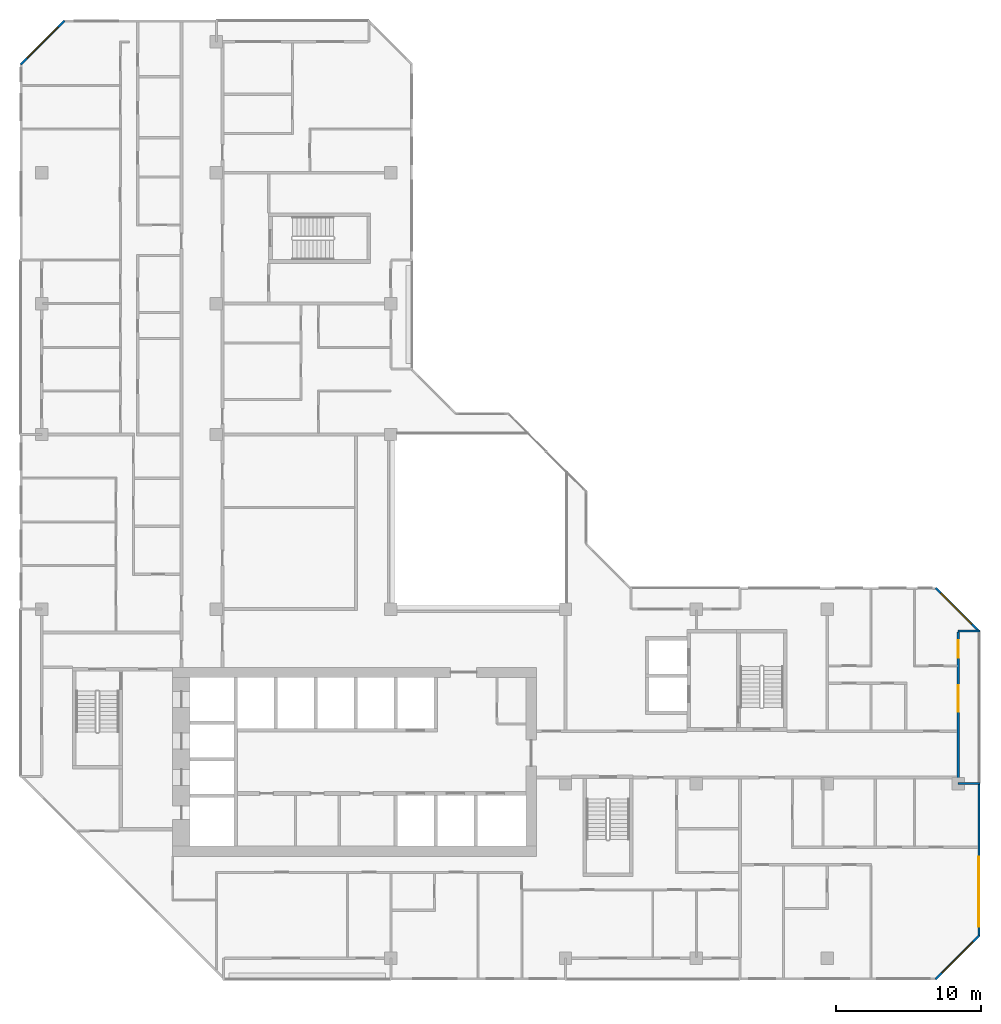
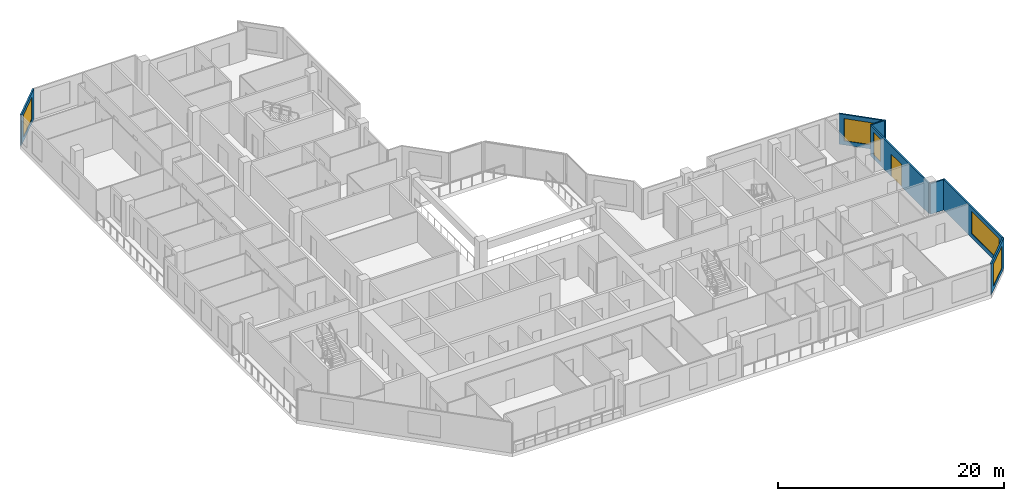
# One storey, part 12 of 15: 7 walls, 5 windows, 1 door, 6 openings.
"""IFC4 building model written with IfcOpenShell, lengths in metres."""

from ifc_helpers import new_model, si_unit, direction, frame, frame_2d, origin, place, context, subcontext, project, spatial, rectangle, extrude, material, layer, layer_set, type_object, element, fill, save


model = new_model("IFC4")

# Units and contexts
model_context = context("Model", 3, precision=1e-05, world=origin(), true_north=direction((0.0, 1.0)))
body_context = subcontext(model_context, "Body", "Model", "MODEL_VIEW")
ifc_project = project(units=[si_unit("LENGTHUNIT", "METRE"), si_unit("AREAUNIT", "SQUARE_METRE"), si_unit("VOLUMEUNIT", "CUBIC_METRE"), si_unit("PLANEANGLEUNIT", "RADIAN"), si_unit("MASSUNIT", "GRAM", prefix="KILO")], contexts=[model_context])

# Site, building, storey
site_placement = place(None, origin())
site = spatial("IfcSite", under=ifc_project, at=site_placement, CompositionType="ELEMENT")
building_placement = place(site_placement, origin())
building = spatial("IfcBuilding", under=site, at=building_placement, Name="Chenar Terraces", CompositionType="ELEMENT")
storey_placement = place(building_placement, frame((0.0, 0.0, 252.89990234375)))
storey = spatial("IfcBuildingStorey", under=building, at=storey_placement, Name="L60", CompositionType="ELEMENT", Elevation=252.89990234375)

# Wall, opening, window
ifc_material_1 = material(Name="Aluminium framed glazing", Category="aluminium")
ifc_layer_1 = layer(ifc_material_1, 0.14990234375)
ifc_layer_set_1 = layer_set([ifc_layer_1], Name="Aluminium framed glazing")
wall_type_1 = type_object("IfcWallType", Name="Glazed flush facade wall 150", PredefinedType="SOLIDWALL", material=ifc_layer_set_1)
wall_1_placement = place(storey_placement, frame((64.425048828125, 1.5, 0.0), z_axis=(0.0, 0.0, 1.0), x_axis=(0.0, 1.0, 0.0)))
wall_1 = element("IfcWall", 1, at=wall_1_placement, inside=storey, type_object=wall_type_1, Name="Glazed flush facade wall", PredefinedType="SOLIDWALL", context=body_context, shape_type="SweptSolid", body=[
    extrude(rectangle(XDim=10.425048828125, YDim=0.14990234375, at=frame_2d((5.21240234375, 0.0))), origin(), (0.0, 0.0, 1.0), 3.300048828125),
])
opening_1_placement = place(wall_1_placement, frame((0.66259765625, 0.0, 0.449951171875)))
opening_1 = element("IfcOpeningElement", 2, at=opening_1_placement, cuts=wall_1, Name="Opening W480x240", PredefinedType="OPENING", context=body_context, shape_type="SweptSolid", body=[
    extrude(rectangle(XDim=4.800048828125, YDim=2.39990234375, at=frame_2d((2.39990234375, 1.199951171875))), frame((0.0, 0.0849609375, 0.0), z_axis=(0.0, -1.0, 0.0), x_axis=(1.0, 0.0, 0.0)), (0.0, 0.0, 1.0), 0.169921875),
])
ifc_material_2 = material(Name="Low emissivity double glazing, aluminium frame", Category="aluminium")
window_type_1 = type_object("IfcWindowType", Name="Fixed light 4800 x 2400", PartitioningType="SINGLE_PANEL", PredefinedType="WINDOW", material=ifc_material_2)
window_1_placement = place(opening_1_placement, origin())
window_1 = element("IfcWindow", 3, at=window_1_placement, inside=storey, type_object=window_type_1, Name="Window", OverallHeight=2.39990234375, OverallWidth=4.800048828125, PartitioningType="SINGLE_PANEL", PredefinedType="WINDOW", context=body_context, shape_type="SweptSolid", body=[
    extrude(rectangle(XDim=4.800048828125, YDim=2.39990234375, at=frame_2d((2.39990234375, 1.199951171875))), frame((0.0, 0.030029296875, 0.0), z_axis=(0.0, -1.0, 0.0), x_axis=(1.0, 0.0, 0.0)), (0.0, 0.0, 1.0), 0.06005859375),
])
fill(opening_1, window_1)

# Wall, openings, window, door
ifc_material_3 = material(Name="Aluminium framed glazing", Category="aluminium")
ifc_layer_2 = layer(ifc_material_3, 0.14990234375)
ifc_layer_set_2 = layer_set([ifc_layer_2], Name="Aluminium framed glazing")
wall_type_2 = type_object("IfcWallType", Name="Glazed loggia back wall 150", PredefinedType="SOLIDWALL", material=ifc_layer_set_2)
wall_2_placement = place(storey_placement, frame((63.0, 12.074951171875, 0.0), z_axis=(0.0, 0.0, 1.0), x_axis=(0.0, 1.0, 0.0)))
wall_2 = element("IfcWall", 4, at=wall_2_placement, inside=storey, type_object=wall_type_2, Name="Glazed loggia back wall", PredefinedType="SOLIDWALL", context=body_context, shape_type="SweptSolid", body=[
    extrude(rectangle(XDim=10.35009765625, YDim=0.14990234375, at=frame_2d((5.175048828125, 0.0))), origin(), (0.0, 0.0, 1.0), 3.300048828125),
])
opening_2_placement = place(wall_2_placement, frame((4.875, 0.0, 0.0)))
opening_2 = element("IfcOpeningElement", 5, at=opening_2_placement, cuts=wall_2, Name="Opening DL60-G7", PredefinedType="OPENING", context=body_context, shape_type="SweptSolid", body=[
    extrude(rectangle(XDim=1.800048828125, YDim=2.39990234375, at=frame_2d((0.89990234375, 1.199951171875))), frame((0.0, 0.0849609375, 0.0), z_axis=(0.0, -1.0, 0.0), x_axis=(1.0, 0.0, 0.0)), (0.0, 0.0, 1.0), 0.169921875),
])
opening_3_placement = place(wall_2_placement, frame((8.58740234375, 0.0, 0.449951171875)))
opening_3 = element("IfcOpeningElement", 6, at=opening_3_placement, cuts=wall_2, Name="Opening W120x240", PredefinedType="OPENING", context=body_context, shape_type="SweptSolid", body=[
    extrude(rectangle(XDim=1.199951171875, YDim=2.39990234375, at=frame_2d((0.60009765625, 1.199951171875))), frame((0.0, 0.0849609375, 0.0), z_axis=(0.0, -1.0, 0.0), x_axis=(1.0, 0.0, 0.0)), (0.0, 0.0, 1.0), 0.169921875),
])
ifc_material_4 = material(Name="Low emissivity double glazing, aluminium frame", Category="aluminium")
window_type_2 = type_object("IfcWindowType", Name="Fixed light 1200 x 2400", PartitioningType="SINGLE_PANEL", PredefinedType="WINDOW", material=ifc_material_4)
window_2_placement = place(opening_3_placement, origin())
window_2 = element("IfcWindow", 7, at=window_2_placement, inside=storey, type_object=window_type_2, Name="Window", OverallHeight=2.39990234375, OverallWidth=1.199951171875, PartitioningType="SINGLE_PANEL", PredefinedType="WINDOW", context=body_context, shape_type="SweptSolid", body=[
    extrude(rectangle(XDim=1.199951171875, YDim=2.39990234375, at=frame_2d((0.60009765625, 1.199951171875))), frame((0.0, 0.030029296875, 0.0), z_axis=(0.0, -1.0, 0.0), x_axis=(1.0, 0.0, 0.0)), (0.0, 0.0, 1.0), 0.06005859375),
])
fill(opening_3, window_2)
ifc_material_5 = material(Name="Low emissivity double glazing, aluminium frame", Category="aluminium")
door_type = type_object("IfcDoorType", Name="Loggia glazed double door 1800 x 2400", OperationType="DOUBLE_DOOR_SINGLE_SWING", PredefinedType="DOOR", material=ifc_material_5)
door_placement = place(opening_2_placement, frame((1.800048828125, 0.0, 0.0), z_axis=(0.0, 0.0, 1.0), x_axis=(-1.0, 0.0, 0.0)))
door = element("IfcDoor", 8, at=door_placement, inside=storey, type_object=door_type, Name="Loggia glazed door", OperationType="DOUBLE_DOOR_SINGLE_SWING", OverallHeight=2.39990234375, OverallWidth=1.800048828125, PredefinedType="DOOR", context=body_context, shape_type="SweptSolid", body=[
    extrude(rectangle(XDim=1.800048828125, YDim=2.39990234375, at=frame_2d((0.89990234375, 1.199951171875))), frame((0.0, 0.02490234375, 0.0), z_axis=(0.0, -1.0, 0.0), x_axis=(1.0, 0.0, 0.0)), (0.0, 0.0, 1.0), 0.050048828125),
])
fill(opening_2, door)

# Walls
ifc_material_6 = material(Name="Terracotta cladding on insulated backing", Category="masonry")
ifc_layer_3 = layer(ifc_material_6, 0.14990234375)
ifc_layer_set_3 = layer_set([ifc_layer_3], Name="Terracotta cladding on insulated backing")
wall_type_3 = type_object("IfcWallType", Name="Loggia return wall 150", PredefinedType="SOLIDWALL", material=ifc_layer_set_3)
for number, where, z_axis, x_axis, name in (
    (9, (64.5, 12.0, 0.0), (0.0, 0.0, 1.0), (-1.0, 0.0, 0.0), "Loggia return wall"),
    (10, (64.5, 22.5, 0.0), (0.0, 0.0, 1.0), (-1.0, 0.0, 0.0), "Loggia return wall"),
):
    element("IfcWall", number, at=place(storey_placement, frame(where, z_axis=z_axis, x_axis=x_axis)), inside=storey, type_object=wall_type_3, Name=name, PredefinedType="SOLIDWALL", context=body_context, shape_type="SweptSolid", body=[
        extrude(rectangle(XDim=1.5, YDim=0.14990234375, at=frame_2d((0.75, 0.0))), origin(), (0.0, 0.0, 1.0), 3.300048828125),
    ])

# Wall, opening, window
ifc_material_7 = material(Name="Terracotta cladding on insulated backing", Category="masonry")
ifc_layer_4 = layer(ifc_material_7, 0.14990234375)
ifc_layer_set_4 = layer_set([ifc_layer_4], Name="Terracotta cladding on insulated backing")
wall_type_4 = type_object("IfcWallType", Name="Terracotta rainscreen wall 150", PredefinedType="SOLIDWALL", material=ifc_layer_set_4)
wall_3_placement = place(storey_placement, frame((1.552978515625, 64.447021484375, 0.0), z_axis=(0.0, 0.0, 1.0), x_axis=(-0.707106781187, -0.707106781187, 0.0)))
wall_3 = element("IfcWall", 11, at=wall_3_placement, inside=storey, type_object=wall_type_4, Name="Terracotta rainscreen wall", PredefinedType="SOLIDWALL", context=body_context, shape_type="SweptSolid", body=[
    extrude(rectangle(XDim=4.24267578125, YDim=0.14990234375, at=frame_2d((2.121337890625, 0.0))), origin(), (0.0, 0.0, 1.0), 3.300048828125),
])
opening_4_placement = place(wall_3_placement, frame((0.621337890625, 0.0, 0.449951171875)))
opening_4 = element("IfcOpeningElement", 12, at=opening_4_placement, cuts=wall_3, Name="Opening W300x240", PredefinedType="OPENING", context=body_context, shape_type="SweptSolid", body=[
    extrude(rectangle(XDim=3.0, YDim=2.39990234375, at=frame_2d((1.5, 1.199951171875))), frame((0.0, 0.0849609375, 0.0), z_axis=(0.0, -1.0, 0.0), x_axis=(1.0, 0.0, 0.0)), (0.0, 0.0, 1.0), 0.169921875),
])
ifc_material_8 = material(Name="Low emissivity double glazing, aluminium frame", Category="aluminium")
window_type_3 = type_object("IfcWindowType", Name="Fixed light 3000 x 2400", PartitioningType="SINGLE_PANEL", PredefinedType="WINDOW", material=ifc_material_8)
window_3_placement = place(opening_4_placement, origin())
window_3 = element("IfcWindow", 13, at=window_3_placement, inside=storey, type_object=window_type_3, Name="Window", OverallHeight=2.39990234375, OverallWidth=3.0, PartitioningType="SINGLE_PANEL", PredefinedType="WINDOW", context=body_context, shape_type="SweptSolid", body=[
    extrude(rectangle(XDim=3.0, YDim=2.39990234375, at=frame_2d((1.5, 1.199951171875))), frame((0.0, 0.030029296875, 0.0), z_axis=(0.0, -1.0, 0.0), x_axis=(1.0, 0.0, 0.0)), (0.0, 0.0, 1.0), 0.06005859375),
])
fill(opening_4, window_3)

wall_4_placement = place(storey_placement, frame((61.447021484375, -1.447021484375, 0.0), z_axis=(0.0, 0.0, 1.0), x_axis=(0.707106781187, 0.707106781187, 0.0)))
wall_4 = element("IfcWall", 14, at=wall_4_placement, inside=storey, type_object=wall_type_4, Name="Terracotta rainscreen wall", PredefinedType="SOLIDWALL", context=body_context, shape_type="SweptSolid", body=[
    extrude(rectangle(XDim=4.24267578125, YDim=0.14990234375, at=frame_2d((2.121337890625, 0.0))), origin(), (0.0, 0.0, 1.0), 3.300048828125),
])
opening_5_placement = place(wall_4_placement, frame((0.621337890625, 0.0, 0.449951171875)))
opening_5 = element("IfcOpeningElement", 15, at=opening_5_placement, cuts=wall_4, Name="Opening W300x240", PredefinedType="OPENING", context=body_context, shape_type="SweptSolid", body=[
    extrude(rectangle(XDim=3.0, YDim=2.39990234375, at=frame_2d((1.5, 1.199951171875))), frame((0.0, 0.0849609375, 0.0), z_axis=(0.0, -1.0, 0.0), x_axis=(1.0, 0.0, 0.0)), (0.0, 0.0, 1.0), 0.169921875),
])
window_4_placement = place(opening_5_placement, origin())
window_4 = element("IfcWindow", 16, at=window_4_placement, inside=storey, type_object=window_type_3, Name="Window", OverallHeight=2.39990234375, OverallWidth=3.0, PartitioningType="SINGLE_PANEL", PredefinedType="WINDOW", context=body_context, shape_type="SweptSolid", body=[
    extrude(rectangle(XDim=3.0, YDim=2.39990234375, at=frame_2d((1.5, 1.199951171875))), frame((0.0, 0.030029296875, 0.0), z_axis=(0.0, -1.0, 0.0), x_axis=(1.0, 0.0, 0.0)), (0.0, 0.0, 1.0), 0.06005859375),
])
fill(opening_5, window_4)

wall_5_placement = place(storey_placement, frame((64.447021484375, 22.447021484375, 0.0), z_axis=(0.0, 0.0, 1.0), x_axis=(-0.707106781187, 0.707106781187, 0.0)))
wall_5 = element("IfcWall", 17, at=wall_5_placement, inside=storey, type_object=wall_type_4, Name="Terracotta rainscreen wall", PredefinedType="SOLIDWALL", context=body_context, shape_type="SweptSolid", body=[
    extrude(rectangle(XDim=4.24267578125, YDim=0.14990234375, at=frame_2d((2.121337890625, 0.0))), origin(), (0.0, 0.0, 1.0), 3.300048828125),
])
opening_6_placement = place(wall_5_placement, frame((0.744384765625, 0.0, 0.449951171875)))
opening_6 = element("IfcOpeningElement", 18, at=opening_6_placement, cuts=wall_5, Name="Opening W300x240", PredefinedType="OPENING", context=body_context, shape_type="SweptSolid", body=[
    extrude(rectangle(XDim=3.0, YDim=2.39990234375, at=frame_2d((1.5, 1.199951171875))), frame((0.0, 0.0849609375, 0.0), z_axis=(0.0, -1.0, 0.0), x_axis=(1.0, 0.0, 0.0)), (0.0, 0.0, 1.0), 0.169921875),
])
window_5_placement = place(opening_6_placement, origin())
window_5 = element("IfcWindow", 19, at=window_5_placement, inside=storey, type_object=window_type_3, Name="Window", OverallHeight=2.39990234375, OverallWidth=3.0, PartitioningType="SINGLE_PANEL", PredefinedType="WINDOW", context=body_context, shape_type="SweptSolid", body=[
    extrude(rectangle(XDim=3.0, YDim=2.39990234375, at=frame_2d((1.5, 1.199951171875))), frame((0.0, 0.030029296875, 0.0), z_axis=(0.0, -1.0, 0.0), x_axis=(1.0, 0.0, 0.0)), (0.0, 0.0, 1.0), 0.06005859375),
])
fill(opening_6, window_5)

save(model, "model.ifc")
